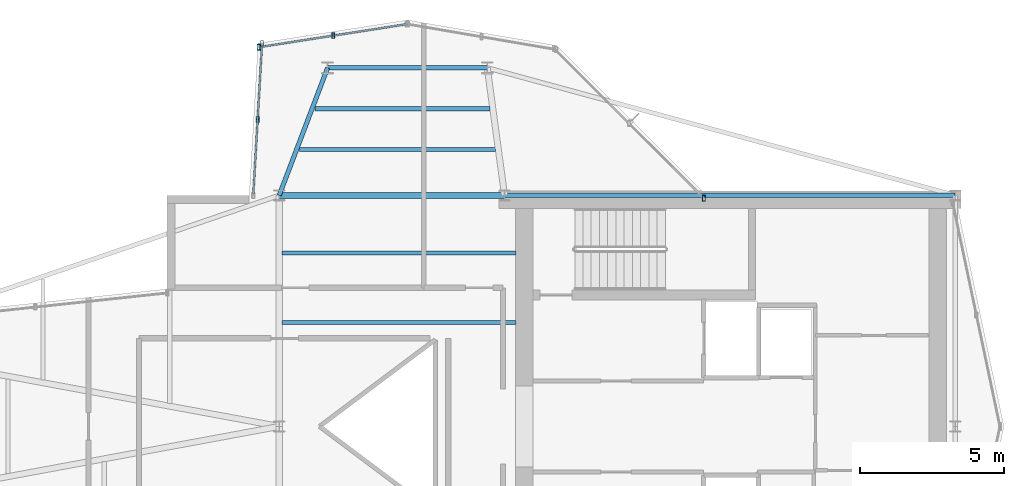
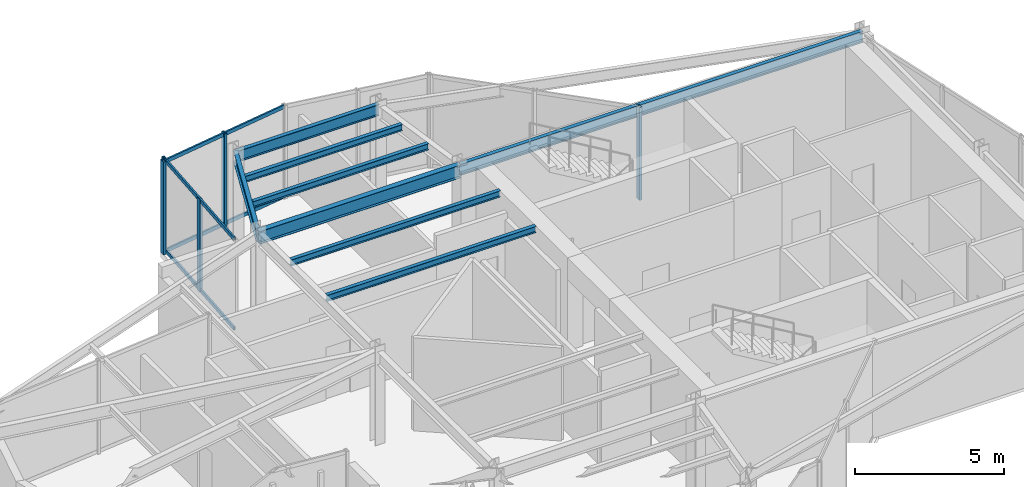
# One storey, part 5 of 13: 9 members, 8 beams, 3 elements without a shape of their own.
"""IFC4 building model written with IfcOpenShell, lengths in metres."""

from ifc_helpers import new_model, si_unit, direction, frame, origin, origin_2d, place, context, subcontext, project, spatial, hollow_rectangle, i_section, extrude, material, layer, layer_set, material_profile, profile_set, type_object, element, aggregate, save


model = new_model("IFC4")

# Units and contexts
model_context = context("Model", 3, precision=1e-05, world=origin(), true_north=direction((0.0, 1.0)))
body_context = subcontext(model_context, "Body", "Model", "MODEL_VIEW")
ifc_project = project(units=[si_unit("LENGTHUNIT", "METRE"), si_unit("AREAUNIT", "SQUARE_METRE"), si_unit("VOLUMEUNIT", "CUBIC_METRE"), si_unit("PLANEANGLEUNIT", "RADIAN"), si_unit("MASSUNIT", "GRAM", prefix="KILO")], contexts=[model_context])

# Site, building, storey
site_placement = place(None, origin())
site = spatial("IfcSite", under=ifc_project, at=site_placement, CompositionType="ELEMENT")
building_placement = place(site_placement, origin())
building = spatial("IfcBuilding", under=site, at=building_placement, Name="Veymaron Broadcast Tower", CompositionType="ELEMENT")
storey_placement = place(building_placement, frame((0.0, 0.0, 307.35009765625)))
storey = spatial("IfcBuildingStorey", under=building, at=storey_placement, Name="L72", CompositionType="ELEMENT", Elevation=307.35009765625)

# Beams
ifc_material_1 = material(Name="Structural steel ASTM A992 Gr 50", Category="steel")
ifc_material_profile_1 = material_profile(ifc_material_1, i_section(OverallWidth=0.208984375, OverallDepth=0.528076171875, WebThickness=0.009521484375, FlangeThickness=0.01318359375, at=origin_2d()), Name="W530X82")
ifc_profile_set_1 = profile_set([ifc_material_profile_1], Name="Structural steel ASTM A992 Gr 50")
beam_type_1 = type_object("IfcBeamType", Name="BM-FG4", PredefinedType="BEAM", material=ifc_profile_set_1)
beam_1_placement = place(storey_placement, frame((31.199951171875, 32.0, 3.5458984375), z_axis=(1.0, 0.0, 0.0), x_axis=(0.0, 1.0, 0.0)))
element("IfcBeam", 1, at=beam_1_placement, inside=storey, type_object=beam_type_1, Name="L72 primary structural floor girder", PredefinedType="BEAM", context=body_context, shape_type="SweptSolid", body=[
    extrude(i_section(OverallWidth=0.208984375, OverallDepth=0.528076171875, WebThickness=0.009521484375, FlangeThickness=0.01318359375, at=origin_2d()), origin(), (0.0, 0.0, 1.0), 7.800048828125),
])
ifc_material_profile_2 = material_profile(ifc_material_1, i_section(OverallWidth=0.14599609375, OverallDepth=0.258056640625, WebThickness=0.006103515625, FlangeThickness=0.009033203125, at=origin_2d()), Name="W250X33")
ifc_profile_set_2 = profile_set([ifc_material_profile_2], Name="Structural steel ASTM A992 Gr 50")
beam_type_2 = type_object("IfcBeamType", Name="BM-JS4", PredefinedType="JOIST", material=ifc_profile_set_2)
beam_2_placement = place(storey_placement, frame((31.90283203125, 33.58837890625, 3.680908203125), z_axis=(1.0, 0.0, 0.0), x_axis=(0.0, 1.0, 0.0)))
element("IfcBeam", 2, at=beam_2_placement, inside=storey, type_object=beam_type_2, Name="L72 Arm-B secondary joist 1", PredefinedType="JOIST", context=body_context, shape_type="SweptSolid", body=[
    extrude(i_section(OverallWidth=0.14599609375, OverallDepth=0.258056640625, WebThickness=0.006103515625, FlangeThickness=0.009033203125, at=origin_2d()), origin(), (0.0, 0.0, 1.0), 6.781982421875),
])
beam_3_placement = place(storey_placement, frame((32.438720703125, 35.000244140625, 3.680908203125), z_axis=(1.0, 0.0, 0.0), x_axis=(0.0, 1.0, 0.0)))
element("IfcBeam", 3, at=beam_3_placement, inside=storey, type_object=beam_type_2, Name="L72 Arm-B secondary joist 2", PredefinedType="JOIST", context=body_context, shape_type="SweptSolid", body=[
    extrude(i_section(OverallWidth=0.14599609375, OverallDepth=0.258056640625, WebThickness=0.006103515625, FlangeThickness=0.009033203125, at=origin_2d()), origin(), (0.0, 0.0, 1.0), 6.0546875),
])
for number, where, z_axis, x_axis, name in (
    (4, (31.300048828125, 27.60009765625, 3.680908203125), (1.0, 0.0, 0.0), (0.0, 1.0, 0.0), "L72 Hub secondary joist 3"),
    (5, (31.300048828125, 30.0, 3.680908203125), (1.0, 0.0, 0.0), (0.0, 1.0, 0.0), "L72 Hub secondary joist 4"),
):
    element("IfcBeam", number, at=place(storey_placement, frame(where, z_axis=z_axis, x_axis=x_axis)), inside=storey, type_object=beam_type_2, Name=name, PredefinedType="JOIST", context=body_context, shape_type="SweptSolid", body=[
        extrude(i_section(OverallWidth=0.14599609375, OverallDepth=0.258056640625, WebThickness=0.006103515625, FlangeThickness=0.009033203125, at=origin_2d()), origin(), (0.0, 0.0, 1.0), 8.099853515625),
    ])
ifc_material_profile_3 = material_profile(ifc_material_1, i_section(OverallWidth=0.154052734375, OverallDepth=0.458984375, WebThickness=0.009033203125, FlangeThickness=0.015380859375, at=origin_2d()), Name="W460X68")
ifc_profile_set_3 = profile_set([ifc_material_profile_3], Name="Structural steel ASTM A992 Gr 50")
beam_type_3 = type_object("IfcBeamType", Name="BM-SP2", PredefinedType="SPANDREL", material=ifc_profile_set_3)
beam_4_placement = place(storey_placement, frame((39.0, 32.0, 3.580322265625), z_axis=(1.0, 0.0, 0.0), x_axis=(0.0, 1.0, 0.0)))
element("IfcBeam", 6, at=beam_4_placement, inside=storey, type_object=beam_type_3, Name="L72 primary structural floor girder", PredefinedType="SPANDREL", context=body_context, shape_type="SweptSolid", body=[
    extrude(i_section(OverallWidth=0.154052734375, OverallDepth=0.458984375, WebThickness=0.009033203125, FlangeThickness=0.015380859375, at=origin_2d()), origin(), (0.0, 0.0, 1.0), 15.60009765625),
])
beam_5_placement = place(storey_placement, frame((31.199951171875, 32.0, 3.580322265625), z_axis=(0.354839811516, 0.934927113824, 0.0), x_axis=(-0.934927113824, 0.354839811516, 0.0)))
element("IfcBeam", 7, at=beam_5_placement, inside=storey, type_object=beam_type_3, Name="L72 primary structural floor girder", PredefinedType="SPANDREL", context=body_context, shape_type="SweptSolid", body=[
    extrude(i_section(OverallWidth=0.154052734375, OverallDepth=0.458984375, WebThickness=0.009033203125, FlangeThickness=0.015380859375, at=origin_2d()), origin(), (0.0, 0.0, 1.0), 4.71923828125),
])
beam_6_placement = place(storey_placement, frame((32.87451171875, 36.412109375, 3.580322265625), z_axis=(1.0, 0.0, 0.0), x_axis=(0.0, 1.0, 0.0)))
element("IfcBeam", 8, at=beam_6_placement, inside=storey, type_object=beam_type_3, Name="L72 primary structural floor girder", PredefinedType="SPANDREL", context=body_context, shape_type="SweptSolid", body=[
    extrude(i_section(OverallWidth=0.154052734375, OverallDepth=0.458984375, WebThickness=0.009033203125, FlangeThickness=0.015380859375, at=origin_2d()), origin(), (0.0, 0.0, 1.0), 5.527587890625),
])

# Curtain wall, member
ifc_material_2 = material(Name="Anodised aluminium AA 6063-T6 and laminated low-E dark glass", Category="aluminium")
ifc_layer = layer(ifc_material_2, 0.179931640625)
ifc_layer_set = layer_set([ifc_layer], Name="Anodised aluminium AA 6063-T6 and laminated low-E dark glass")
curtain_wall_type = type_object("IfcCurtainWallType", Name="CW-SYS-06", PredefinedType="NOTDEFINED", material=ifc_layer_set)
curtain_wall_1_placement = place(storey_placement, origin())
curtain_wall_1 = element("IfcCurtainWall", 9, at=curtain_wall_1_placement, inside=storey, type_object=curtain_wall_type, Name="L72 dark-glass curtain wall CW-L72-E5-1", PredefinedType="NOTDEFINED")
ifc_material_3 = material(Name="Anodised aluminium AA 6063-T6", Category="aluminium")
ifc_material_profile_4 = material_profile(ifc_material_3, hollow_rectangle(XDim=0.10009765625, YDim=0.199951171875, WallThickness=0.010009765625, at=origin_2d()), Name="RHS200X100X10")
ifc_profile_set_4 = profile_set([ifc_material_profile_4], Name="Anodised aluminium AA 6063-T6")
member_type_1 = type_object("IfcMemberType", Name="CW-MUL-01", PredefinedType="MULLION", material=ifc_profile_set_4)
member_1_placement = place(storey_placement, frame((45.900390625, 31.90087890625, 0.0), z_axis=(0.0, 0.0, 1.0), x_axis=(1.0, 0.0, 0.0)))
member_1 = element("IfcMember", 10, at=member_1_placement, type_object=member_type_1, Name="CW-L72-E5-1 mullion 0", PredefinedType="MULLION", context=body_context, shape_type="SweptSolid", body=[
    extrude(hollow_rectangle(XDim=0.10009765625, YDim=0.199951171875, WallThickness=0.010009765625, at=origin_2d()), origin(), (0.0, 0.0, 1.0), 3.809814453125),
])
aggregate(curtain_wall_1, [member_1])

# Curtain wall, members
curtain_wall_2_placement = place(storey_placement, origin())
curtain_wall_2 = element("IfcCurtainWall", 11, at=curtain_wall_2_placement, inside=storey, type_object=curtain_wall_type, Name="L72 dark-glass curtain wall CW-L72-E7-1", PredefinedType="NOTDEFINED")
member_2_placement = place(storey_placement, frame((33.072265625, 37.52880859375, 0.0), z_axis=(0.0, 0.0, 1.0), x_axis=(1.0, 0.0, 0.0)))
member_2 = element("IfcMember", 12, at=member_2_placement, type_object=member_type_1, Name="CW-L72-E7-1 mullion 1", PredefinedType="MULLION", context=body_context, shape_type="SweptSolid", body=[
    extrude(hollow_rectangle(XDim=0.10009765625, YDim=0.199951171875, WallThickness=0.010009765625, at=origin_2d()), origin(), (0.0, 0.0, 1.0), 3.809814453125),
])
member_3_placement = place(storey_placement, frame((30.48583984375, 37.126953125, 0.0), z_axis=(0.0, 0.0, 1.0), x_axis=(1.0, 0.0, 0.0)))
member_3 = element("IfcMember", 13, at=member_3_placement, type_object=member_type_1, Name="CW-L72-E7-1 mullion 2", PredefinedType="MULLION", context=body_context, shape_type="SweptSolid", body=[
    extrude(hollow_rectangle(XDim=0.10009765625, YDim=0.199951171875, WallThickness=0.010009765625, at=origin_2d()), origin(), (0.0, 0.0, 1.0), 3.809814453125),
])

curtain_wall_3_placement = place(storey_placement, origin())
curtain_wall_3 = element("IfcCurtainWall", 14, at=curtain_wall_3_placement, inside=storey, type_object=curtain_wall_type, Name="L72 dark-glass curtain wall CW-L72-E8-1", PredefinedType="NOTDEFINED")
member_4_placement = place(storey_placement, frame((30.60400390625, 37.257080078125, 0.0), z_axis=(0.0, 0.0, 1.0), x_axis=(1.0, 0.0, 0.0)))
member_4 = element("IfcMember", 15, at=member_4_placement, type_object=member_type_1, Name="CW-L72-E8-1 mullion 0", PredefinedType="MULLION", context=body_context, shape_type="SweptSolid", body=[
    extrude(hollow_rectangle(XDim=0.10009765625, YDim=0.199951171875, WallThickness=0.010009765625, at=origin_2d()), origin(), (0.0, 0.0, 1.0), 3.809814453125),
])
member_5_placement = place(storey_placement, frame((30.451904296875, 34.62451171875, 0.0), z_axis=(0.0, 0.0, 1.0), x_axis=(1.0, 0.0, 0.0)))
member_5 = element("IfcMember", 16, at=member_5_placement, type_object=member_type_1, Name="CW-L72-E8-1 mullion 1", PredefinedType="MULLION", context=body_context, shape_type="SweptSolid", body=[
    extrude(hollow_rectangle(XDim=0.10009765625, YDim=0.199951171875, WallThickness=0.010009765625, at=origin_2d()), origin(), (0.0, 0.0, 1.0), 3.809814453125),
])

# Member
ifc_material_profile_5 = material_profile(ifc_material_3, hollow_rectangle(XDim=0.06494140625, YDim=0.14990234375, WallThickness=0.00390625, at=origin_2d()), Name="AL150X65X4")
ifc_profile_set_5 = profile_set([ifc_material_profile_5], Name="Anodised aluminium AA 6063-T6")
member_type_2 = type_object("IfcMemberType", Name="CW-TRN-01", PredefinedType="USERDEFINED", material=ifc_profile_set_5)
member_6_placement = place(storey_placement, frame((35.609375, 37.923095703125, 0.06982421875), z_axis=(-0.988138602753, -0.153564650062, 0.0), x_axis=(0.153564650062, -0.988138602753, 0.0)))
member_6 = element("IfcMember", 17, at=member_6_placement, type_object=member_type_2, Name="CW-L72-E7-1 transom B", ObjectType="TRANSOM", PredefinedType="USERDEFINED", context=body_context, shape_type="SweptSolid", body=[
    extrude(hollow_rectangle(XDim=0.06494140625, YDim=0.14990234375, WallThickness=0.00390625, at=origin_2d()), origin(), (0.0, 0.0, 1.0), 5.135009765625),
])

member_7_placement = place(storey_placement, frame((35.609375, 37.923095703125, 3.739990234375), z_axis=(-0.988138602753, -0.153564650062, 0.0), x_axis=(0.153564650062, -0.988138602753, 0.0)))
member_7 = element("IfcMember", 18, at=member_7_placement, type_object=member_type_2, Name="CW-L72-E7-1 transom T", ObjectType="TRANSOM", PredefinedType="USERDEFINED", context=body_context, shape_type="SweptSolid", body=[
    extrude(hollow_rectangle(XDim=0.06494140625, YDim=0.14990234375, WallThickness=0.00390625, at=origin_2d()), origin(), (0.0, 0.0, 1.0), 5.135009765625),
])

aggregate(curtain_wall_2, [member_2, member_3, member_6, member_7])

member_8_placement = place(storey_placement, frame((30.601318359375, 37.207275390625, 0.06982421875), z_axis=(-0.0577538974, -0.998330850638, 0.0), x_axis=(0.998330850638, -0.0577538974, 0.0)))
member_8 = element("IfcMember", 19, at=member_8_placement, type_object=member_type_2, Name="CW-L72-E8-1 transom B", ObjectType="TRANSOM", PredefinedType="USERDEFINED", context=body_context, shape_type="SweptSolid", body=[
    extrude(hollow_rectangle(XDim=0.06494140625, YDim=0.14990234375, WallThickness=0.00390625, at=origin_2d()), origin(), (0.0, 0.0, 1.0), 5.174072265625),
])

member_9_placement = place(storey_placement, frame((30.601318359375, 37.207275390625, 3.739990234375), z_axis=(-0.0577538974, -0.998330850638, 0.0), x_axis=(0.998330850638, -0.0577538974, 0.0)))
member_9 = element("IfcMember", 20, at=member_9_placement, type_object=member_type_2, Name="CW-L72-E8-1 transom T", ObjectType="TRANSOM", PredefinedType="USERDEFINED", context=body_context, shape_type="SweptSolid", body=[
    extrude(hollow_rectangle(XDim=0.06494140625, YDim=0.14990234375, WallThickness=0.00390625, at=origin_2d()), origin(), (0.0, 0.0, 1.0), 5.174072265625),
])

aggregate(curtain_wall_3, [member_4, member_5, member_8, member_9])

save(model, "model.ifc")
